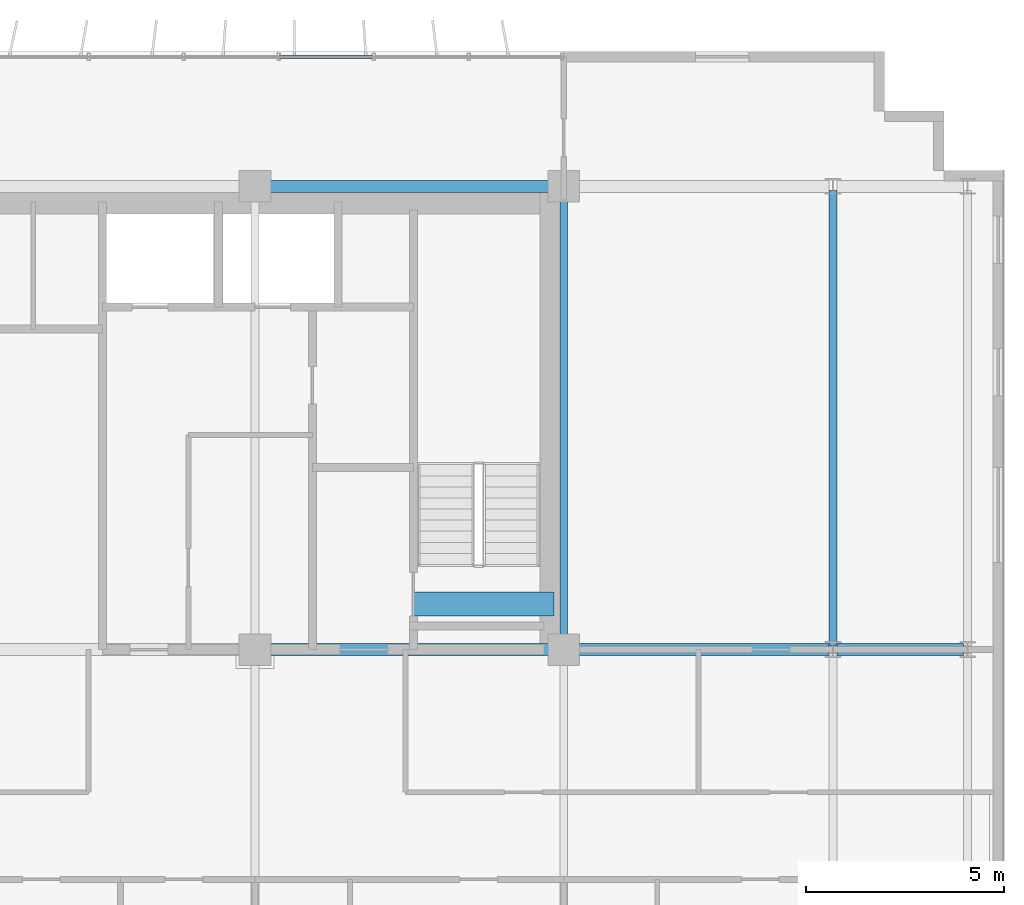
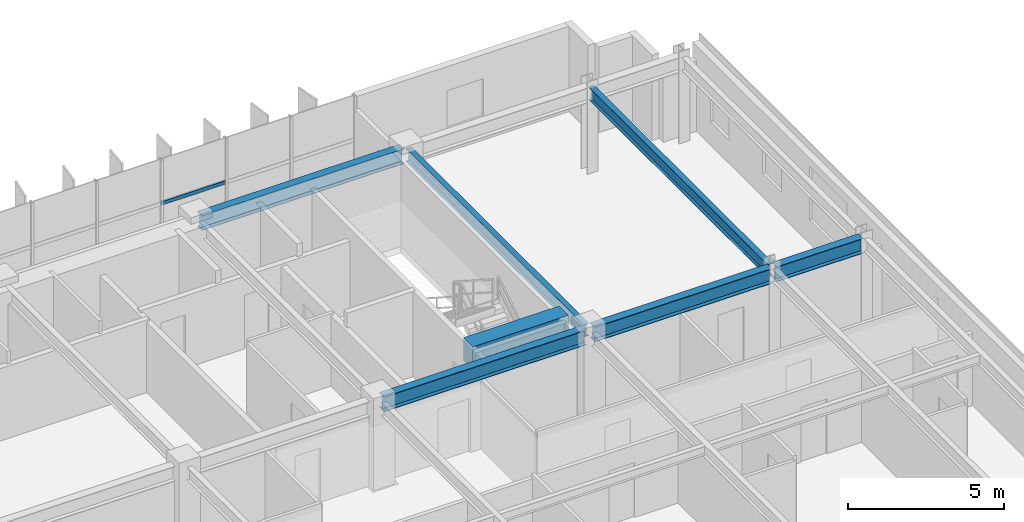
# One storey, part 10 of 22: 7 beams, 1 member, 1 element without a shape of its own.
"""IFC4 building model written with IfcOpenShell, lengths in metres."""

from ifc_helpers import new_model, si_unit, direction, frame, origin, origin_2d, place, context, subcontext, project, spatial, rectangle, hollow_rectangle, i_section, extrude, source, transform, mapped, material, material_profile, profile_set, type_object, element, aggregate, save


model = new_model("IFC4")

# Units and contexts
model_context = context("Model", 3, precision=1e-05, world=origin(), true_north=direction((0.0, 1.0)))
body_context = subcontext(model_context, "Body", "Model", "MODEL_VIEW")
ifc_project = project(units=[si_unit("LENGTHUNIT", "METRE"), si_unit("AREAUNIT", "SQUARE_METRE"), si_unit("VOLUMEUNIT", "CUBIC_METRE"), si_unit("PLANEANGLEUNIT", "RADIAN"), si_unit("MASSUNIT", "GRAM", prefix="KILO")], contexts=[model_context])

# Site, building, storey
site_placement = place(None, origin())
site = spatial("IfcSite", under=ifc_project, at=site_placement, CompositionType="ELEMENT")
building_placement = place(site_placement, origin())
building = spatial("IfcBuilding", under=site, at=building_placement, Name="Trelvane Seafront Commons", CompositionType="ELEMENT")
storey_placement = place(building_placement, frame((0.0, 0.0, 92.5)))
storey = spatial("IfcBuildingStorey", under=building, at=storey_placement, Name="L23", CompositionType="ELEMENT", Elevation=92.5)

# Beams
ifc_material_1 = material(Name="Concrete C60/75", Category="concrete")
ifc_material_profile_1 = material_profile(ifc_material_1, rectangle(XDim=0.60009765625, YDim=0.89990234375, at=origin_2d()), Name="RC-600x900")
ifc_profile_set_1 = profile_set([ifc_material_profile_1], Name="Concrete C60/75")
beam_type_1 = type_object("IfcBeamType", Name="STR-LNT-RC600x900", PredefinedType="LINTEL", material=ifc_profile_set_1)
shared_shape_1 = source(origin(), body_context, "Body", "SweptSolid", [
    extrude(rectangle(XDim=0.60009765625, YDim=0.89990234375, at=origin_2d()), origin(), (0.0, 0.0, 1.0), 3.550048828125),
])
beam_1_placement = place(storey_placement, frame((55.0, 34.550048828125, 2.889892578125), z_axis=(1.0, 0.0, 0.0), x_axis=(0.0, 1.0, 0.0)))
element("IfcBeam", 1, at=beam_1_placement, inside=storey, type_object=beam_type_1, Name="L23 Core Coupling Lintel Beam CB-86", PredefinedType="LINTEL", context=body_context, shape_type="MappedRepresentation", body=[
    mapped(shared_shape_1, transform((0.0, 0.0, 0.0), x_axis=(1.0, 0.0, 0.0), y_axis=(0.0, 1.0, 0.0), z_axis=(0.0, 0.0, 1.0), scale=1.0)),
])
ifc_material_2 = material(Name="Steel SM355 (S355)", Category="steel")
ifc_material_profile_2 = material_profile(ifc_material_2, i_section(OverallWidth=0.300048828125, OverallDepth=0.587890625, WebThickness=0.011962890625, FlangeThickness=0.02001953125, at=origin_2d()), Name="H-588x300x12x20")
ifc_profile_set_2 = profile_set([ifc_material_profile_2], Name="Steel SM355 (S355)")
beam_type_2 = type_object("IfcBeamType", Name="STR-BM-H588", PredefinedType="BEAM", material=ifc_profile_set_2)
shared_shape_2 = source(origin(), body_context, "Body", "SweptSolid", [
    extrude(i_section(OverallWidth=0.300048828125, OverallDepth=0.587890625, WebThickness=0.011962890625, FlangeThickness=0.02001953125, at=origin_2d()), origin(), (0.0, 0.0, 1.0), 3.199951171875),
])
beam_2_placement = place(storey_placement, frame((65.699951171875, 33.39990234375, 3.0458984375), z_axis=(1.0, 0.0, 0.0), x_axis=(0.0, 1.0, 0.0)))
element("IfcBeam", 2, at=beam_2_placement, inside=storey, type_object=beam_type_2, Name="L23 Primary Girder G-27", PredefinedType="BEAM", context=body_context, shape_type="MappedRepresentation", body=[
    mapped(shared_shape_2, transform((0.0, 0.0, 0.0), x_axis=(1.0, 0.0, 0.0), y_axis=(0.0, 1.0, 0.0), z_axis=(0.0, 0.0, 1.0), scale=1.0)),
])
shared_shape_3 = source(origin(), body_context, "Body", "SweptSolid", [
    extrude(i_section(OverallWidth=0.300048828125, OverallDepth=0.587890625, WebThickness=0.011962890625, FlangeThickness=0.02001953125, at=origin_2d()), origin(), (0.0, 0.0, 1.0), 6.550048828125),
])
beam_3_placement = place(storey_placement, frame((58.949951171875, 33.39990234375, 3.0458984375), z_axis=(1.0, 0.0, 0.0), x_axis=(0.0, 1.0, 0.0)))
element("IfcBeam", 3, at=beam_3_placement, inside=storey, type_object=beam_type_2, Name="L23 Primary Girder G-26", PredefinedType="BEAM", context=body_context, shape_type="MappedRepresentation", body=[
    mapped(shared_shape_3, transform((0.0, 0.0, 0.0), x_axis=(1.0, 0.0, 0.0), y_axis=(0.0, 1.0, 0.0), z_axis=(0.0, 0.0, 1.0), scale=1.0)),
])
shared_shape_4 = source(origin(), body_context, "Body", "SweptSolid", [
    extrude(i_section(OverallWidth=0.300048828125, OverallDepth=0.587890625, WebThickness=0.011962890625, FlangeThickness=0.02001953125, at=origin_2d()), origin(), (0.0, 0.0, 1.0), 7.5),
])
for number, where, z_axis, x_axis, name in (
    (4, (51.14990234375, 33.39990234375, 3.0458984375), (1.0, 0.0, 0.0), (0.0, 1.0, 0.0), "L23 Primary Girder G-25"),
    (5, (51.14990234375, 45.10009765625, 3.0458984375), (1.0, 0.0, 0.0), (0.0, 1.0, 0.0), "L23 Primary Girder G-34"),
):
    element("IfcBeam", number, at=place(storey_placement, frame(where, z_axis=z_axis, x_axis=x_axis)), inside=storey, type_object=beam_type_2, Name=name, PredefinedType="BEAM", context=body_context, shape_type="MappedRepresentation", body=[
        mapped(shared_shape_4, transform((0.0, 0.0, 0.0), x_axis=(1.0, 0.0, 0.0), y_axis=(0.0, 1.0, 0.0), z_axis=(0.0, 0.0, 1.0), scale=1.0)),
    ])
ifc_material_profile_3 = material_profile(ifc_material_2, i_section(OverallWidth=0.199951171875, OverallDepth=0.5, WebThickness=0.010009765625, FlangeThickness=0.01611328125, at=origin_2d()), Name="H-500x200x10x16")
ifc_profile_set_3 = profile_set([ifc_material_profile_3], Name="Steel SM355 (S355)")
beam_type_3 = type_object("IfcBeamType", Name="STR-BM-H500", PredefinedType="BEAM", material=ifc_profile_set_3)
shared_shape_5 = source(origin(), body_context, "Body", "SweptSolid", [
    extrude(i_section(OverallWidth=0.199951171875, OverallDepth=0.5, WebThickness=0.010009765625, FlangeThickness=0.01611328125, at=origin_2d()), origin(), (0.0, 0.0, 1.0), 11.5),
])
beam_4_placement = place(storey_placement, frame((65.60009765625, 33.5, 3.090087890625), z_axis=(0.0, 1.0, 0.0), x_axis=(-1.0, 0.0, 0.0)))
element("IfcBeam", 6, at=beam_4_placement, inside=storey, type_object=beam_type_3, Name="L23 Primary Girder G-63", PredefinedType="BEAM", context=body_context, shape_type="MappedRepresentation", body=[
    mapped(shared_shape_5, transform((0.0, 0.0, 0.0), x_axis=(1.0, 0.0, 0.0), y_axis=(0.0, 1.0, 0.0), z_axis=(0.0, 0.0, 1.0), scale=1.0)),
])
shared_shape_6 = source(origin(), body_context, "Body", "SweptSolid", [
    extrude(i_section(OverallWidth=0.199951171875, OverallDepth=0.5, WebThickness=0.010009765625, FlangeThickness=0.01611328125, at=origin_2d()), origin(), (0.0, 0.0, 1.0), 11.39990234375),
])
beam_5_placement = place(storey_placement, frame((58.800048828125, 33.550048828125, 3.090087890625), z_axis=(0.0, 1.0, 0.0), x_axis=(-1.0, 0.0, 0.0)))
element("IfcBeam", 7, at=beam_5_placement, inside=storey, type_object=beam_type_3, Name="L23 Primary Girder G-60", PredefinedType="BEAM", context=body_context, shape_type="MappedRepresentation", body=[
    mapped(shared_shape_6, transform((0.0, 0.0, 0.0), x_axis=(1.0, 0.0, 0.0), y_axis=(0.0, 1.0, 0.0), z_axis=(0.0, 0.0, 1.0), scale=1.0)),
])

# Curtain wall, member
ifc_material_3 = material(Name="Anodised pale-silver aluminium", Category="aluminium")
curtain_wall_type = type_object("IfcCurtainWallType", Name="ARCH-CW4-SKYLOBBY", PredefinedType="NOTDEFINED", material=ifc_material_3)
curtain_wall_placement = place(storey_placement, origin())
curtain_wall = element("IfcCurtainWall", 8, at=curtain_wall_placement, inside=storey, type_object=curtain_wall_type, Name="CW-L23-0048", PredefinedType="NOTDEFINED")
ifc_material_profile_4 = material_profile(ifc_material_3, hollow_rectangle(XDim=0.074951171875, YDim=0.139892578125, WallThickness=0.00390625, at=origin_2d()), Name="TRAN-75x140x4")
ifc_profile_set_4 = profile_set([ifc_material_profile_4], Name="Anodised pale-silver aluminium")
member_type = type_object("IfcMemberType", Name="ARCH-CW-TRAN-140", PredefinedType="USERDEFINED", material=ifc_profile_set_4)
shared_shape_7 = source(origin(), body_context, "Body", "SweptSolid", [
    extrude(hollow_rectangle(XDim=0.074951171875, YDim=0.139892578125, WallThickness=0.00390625, at=origin_2d()), origin(), (0.0, 0.0, 1.0), 2.3759765625),
])
member_placement = place(storey_placement, frame((51.612060546875, 48.3701171875, 1.60302734375), z_axis=(1.0, 0.0, 0.0), x_axis=(0.0, 1.0, 0.0)))
member = element("IfcMember", 9, at=member_placement, type_object=member_type, Name="CW-L23-0048-T15", ObjectType="TRANSOM", PredefinedType="USERDEFINED", context=body_context, shape_type="MappedRepresentation", body=[
    mapped(shared_shape_7, transform((0.0, 0.0, 0.0), x_axis=(1.0, 0.0, 0.0), y_axis=(0.0, 1.0, 0.0), z_axis=(0.0, 0.0, 1.0), scale=1.0)),
])
aggregate(curtain_wall, [member])

save(model, "model.ifc")
